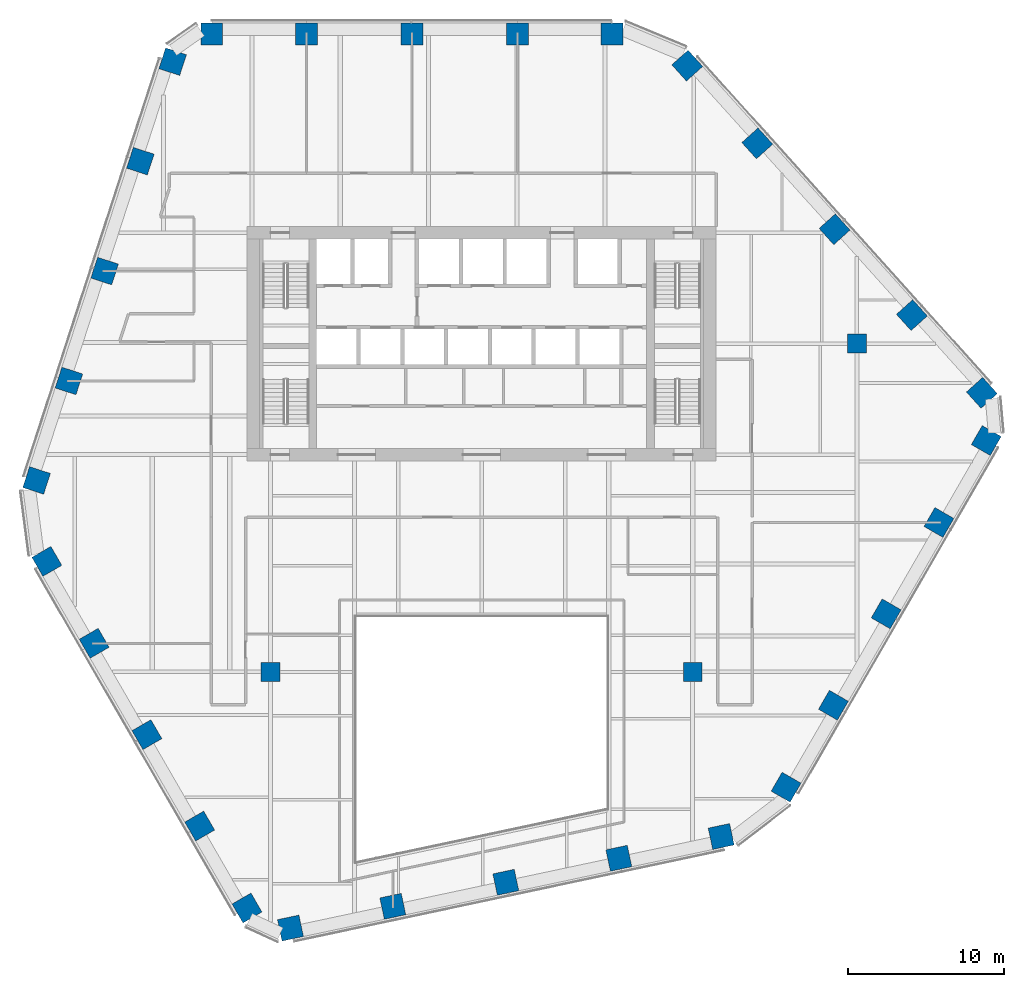
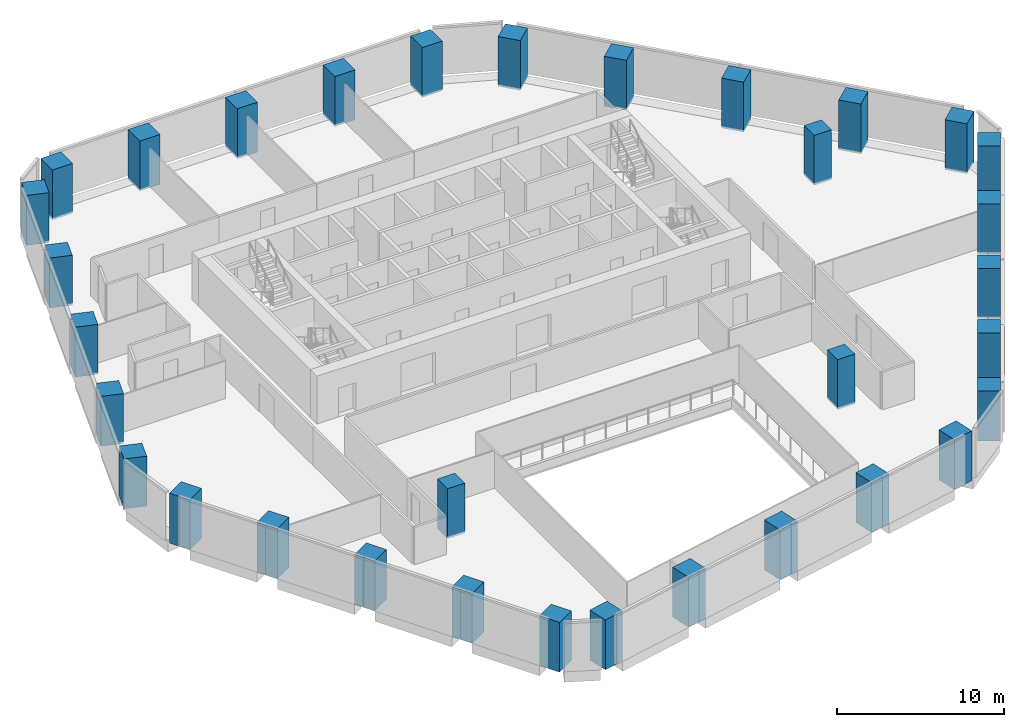
# One storey, part 1 of 16: 33 columns.
"""IFC4 building model written with IfcOpenShell, lengths in metres."""

from ifc_helpers import new_model, si_unit, direction, frame, origin, origin_2d, place, context, subcontext, project, spatial, rectangle, extrude, material, material_profile, profile_set, type_object, element, save


model = new_model("IFC4")

# Units and contexts
model_context = context("Model", 3, precision=1e-05, world=origin(), true_north=direction((0.0, 1.0)))
body_context = subcontext(model_context, "Body", "Model", "MODEL_VIEW")
ifc_project = project(units=[si_unit("LENGTHUNIT", "METRE"), si_unit("AREAUNIT", "SQUARE_METRE"), si_unit("VOLUMEUNIT", "CUBIC_METRE"), si_unit("PLANEANGLEUNIT", "RADIAN"), si_unit("MASSUNIT", "GRAM", prefix="KILO")], contexts=[model_context])

# Site, building, storey
site_placement = place(None, origin())
site = spatial("IfcSite", under=ifc_project, at=site_placement, CompositionType="ELEMENT")
building_placement = place(site_placement, origin())
building = spatial("IfcBuilding", under=site, at=building_placement, Name="Isthmus Gate Tower", CompositionType="ELEMENT")
storey_placement = place(building_placement, frame((0.0, 0.0, 148.050048828125)))
storey = spatial("IfcBuildingStorey", under=building, at=storey_placement, Name="L36", CompositionType="ELEMENT", Elevation=148.050048828125)

# Columns
ifc_material_1 = material(Name="Concrete f'c 60 MPa", Category="concrete")
ifc_material_profile_1 = material_profile(ifc_material_1, rectangle(XDim=1.199951171875, YDim=1.199951171875, at=origin_2d()), Name="RC 1200X1200")
ifc_profile_set_1 = profile_set([ifc_material_profile_1], Name="Concrete f'c 60 MPa")
column_type_1 = type_object("IfcColumnType", Name="RC INTERIOR COLUMN 1200 X 1200", PredefinedType="COLUMN", material=ifc_profile_set_1)
for number, where, z_axis, x_axis, name in (
    (1, (-13.5, -13.5, -0.150146484375), (0.0, 0.0, 1.0), (1.0, 0.0, 0.0), "str-icol-L36-ICB2"),
    (2, (13.5, -13.5, -0.150146484375), (0.0, 0.0, 1.0), (1.0, 0.0, 0.0), "str-icol-L36-ICD2"),
    (3, (24.0, 7.5, -0.150146484375), (0.0, 0.0, 1.0), (1.0, 0.0, 0.0), "str-icol-L36-ICE3"),
):
    element("IfcColumn", number, at=place(storey_placement, frame(where, z_axis=z_axis, x_axis=x_axis)), inside=storey, type_object=column_type_1, Name=name, PredefinedType="COLUMN", context=body_context, shape_type="SweptSolid", body=[
        extrude(rectangle(XDim=1.199951171875, YDim=1.199951171875, at=origin_2d()), origin(), (0.0, 0.0, 1.0), 3.650146484375),
    ])
ifc_material_2 = material(Name="Concrete f'c 60 MPa", Category="concrete")
ifc_material_profile_2 = material_profile(ifc_material_2, rectangle(XDim=1.39990234375, YDim=1.39990234375, at=origin_2d()), Name="RC 1400X1400")
ifc_profile_set_2 = profile_set([ifc_material_profile_2], Name="Concrete f'c 60 MPa")
column_type_2 = type_object("IfcColumnType", Name="RC TUBE COLUMN 1400 X 1400", PredefinedType="COLUMN", material=ifc_profile_set_2)
for number, where, z_axis, x_axis, name in (
    (4, (8.338623046875, 27.300048828125, -0.150146484375), (0.0, 0.0, 1.0), (-1.0, 0.0, 0.0), "str-tcol-L36-T2N0"),
    (5, (2.288330078125, 27.300048828125, -0.150146484375), (0.0, 0.0, 1.0), (-1.0, 0.0, 0.0), "str-tcol-L36-T2N1"),
    (6, (-4.461669921875, 27.300048828125, -0.150146484375), (0.0, 0.0, 1.0), (-1.0, 0.0, 0.0), "str-tcol-L36-T2N2"),
    (7, (-11.2119140625, 27.300048828125, -0.150146484375), (0.0, 0.0, 1.0), (-1.0, 0.0, 0.0), "str-tcol-L36-T2N3"),
    (8, (-17.261962890625, 27.300048828125, -0.150146484375), (0.0, 0.0, 1.0), (-1.0, 0.0, 0.0), "str-tcol-L36-T2N4"),
    (9, (-19.765380859375, 25.532958984375, -0.150146484375), (0.0, 0.0, 1.0), (-0.309016994375, -0.951056516295, 0.0), "str-tcol-L36-T2NW0"),
    (10, (-21.8330078125, 19.169677734375, -0.150146484375), (0.0, 0.0, 1.0), (-0.309016994375, -0.951056516295, 0.0), "str-tcol-L36-T2NW1"),
    (11, (-24.116943359375, 12.140625, -0.150146484375), (0.0, 0.0, 1.0), (-0.309016994375, -0.951056516295, 0.0), "str-tcol-L36-T2NW2"),
    (12, (-26.400634765625, 5.111328125, -0.150146484375), (0.0, 0.0, 1.0), (-0.309016994375, -0.951056516295, 0.0), "str-tcol-L36-T2NW3"),
    (13, (-28.46826171875, -1.251953125, -0.150146484375), (0.0, 0.0, 1.0), (-0.309016994375, -0.951056516295, 0.0), "str-tcol-L36-T2NW4"),
    (14, (-27.811767578125, -6.4287109375, -0.150146484375), (0.0, 0.0, 1.0), (0.5, -0.866025403784, 0.0), "str-tcol-L36-T2SW0"),
    (15, (-24.78662109375, -11.668212890625, -0.150146484375), (0.0, 0.0, 1.0), (0.5, -0.866025403784, 0.0), "str-tcol-L36-T2SW1"),
    (16, (-21.41162109375, -17.513916015625, -0.150146484375), (0.0, 0.0, 1.0), (0.5, -0.866025403784, 0.0), "str-tcol-L36-T2SW2"),
    (17, (-18.03662109375, -23.359619140625, -0.150146484375), (0.0, 0.0, 1.0), (0.5, -0.866025403784, 0.0), "str-tcol-L36-T2SW3"),
    (18, (-15.011474609375, -28.599365234375, -0.150146484375), (0.0, 0.0, 1.0), (0.5, -0.866025403784, 0.0), "str-tcol-L36-T2SW4"),
    (19, (-12.2294921875, -29.8837890625, -0.150146484375), (0.0, 0.0, 1.0), (0.978147600734, 0.207911690818, 0.0), "str-tcol-L36-T2S0"),
    (20, (-5.684814453125, -28.49267578125, -0.150146484375), (0.0, 0.0, 1.0), (0.978147600734, 0.207911690818, 0.0), "str-tcol-L36-T2S1"),
    (21, (1.54443359375, -26.9560546875, -0.150146484375), (0.0, 0.0, 1.0), (0.978147600734, 0.207911690818, 0.0), "str-tcol-L36-T2S2"),
    (22, (8.773681640625, -25.41943359375, -0.150146484375), (0.0, 0.0, 1.0), (0.978147600734, 0.207911690818, 0.0), "str-tcol-L36-T2S3"),
    (23, (15.318359375, -24.0283203125, -0.150146484375), (0.0, 0.0, 1.0), (0.978147600734, 0.207911690818, 0.0), "str-tcol-L36-T2S4"),
    (24, (19.47314453125, -20.871337890625, -0.150146484375), (0.0, 0.0, 1.0), (0.5, 0.866025403784, 0.0), "str-tcol-L36-T2SE0"),
    (25, (22.498291015625, -15.6318359375, -0.150146484375), (0.0, 0.0, 1.0), (0.5, 0.866025403784, 0.0), "str-tcol-L36-T2SE1"),
    (26, (25.873291015625, -9.7861328125, -0.150146484375), (0.0, 0.0, 1.0), (0.5, 0.866025403784, 0.0), "str-tcol-L36-T2SE2"),
    (27, (29.248291015625, -3.940185546875, -0.150146484375), (0.0, 0.0, 1.0), (0.5, 0.866025403784, 0.0), "str-tcol-L36-T2SE3"),
    (28, (32.2734375, 1.29931640625, -0.150146484375), (0.0, 0.0, 1.0), (0.5, 0.866025403784, 0.0), "str-tcol-L36-T2SE4"),
    (29, (31.994873046875, 4.350830078125, -0.150146484375), (0.0, 0.0, 1.0), (-0.669130606359, 0.743144825477, 0.0), "str-tcol-L36-T2NE0"),
    (30, (27.517822265625, 9.3232421875, -0.150146484375), (0.0, 0.0, 1.0), (-0.669130606359, 0.743144825477, 0.0), "str-tcol-L36-T2NE1"),
    (31, (22.572509765625, 14.815673828125, -0.150146484375), (0.0, 0.0, 1.0), (-0.669130606359, 0.743144825477, 0.0), "str-tcol-L36-T2NE2"),
    (32, (17.626953125, 20.30810546875, -0.150146484375), (0.0, 0.0, 1.0), (-0.669130606359, 0.743144825477, 0.0), "str-tcol-L36-T2NE3"),
    (33, (13.14990234375, 25.2802734375, -0.150146484375), (0.0, 0.0, 1.0), (-0.669130606359, 0.743144825477, 0.0), "str-tcol-L36-T2NE4"),
):
    element("IfcColumn", number, at=place(storey_placement, frame(where, z_axis=z_axis, x_axis=x_axis)), inside=storey, type_object=column_type_2, Name=name, PredefinedType="COLUMN", context=body_context, shape_type="SweptSolid", body=[
        extrude(rectangle(XDim=1.39990234375, YDim=1.39990234375, at=origin_2d()), origin(), (0.0, 0.0, 1.0), 3.650146484375),
    ])

save(model, "model.ifc")
